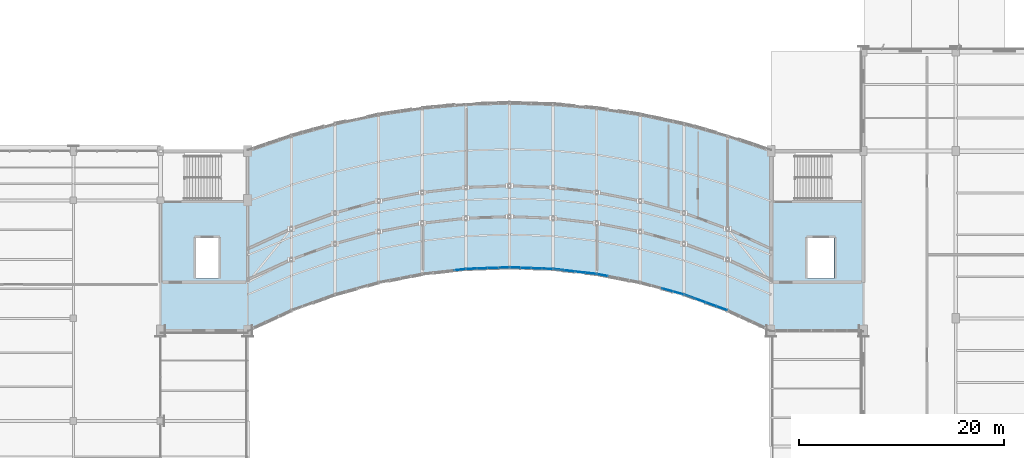
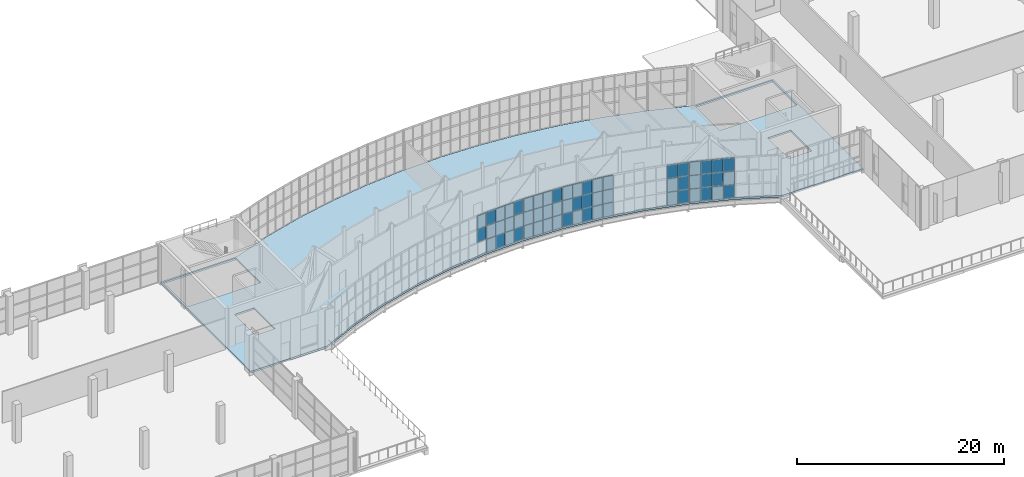
# One storey, part 58 of 86: 59 plates, 1 slab, 7 elements without a shape of their own.
"""IFC4 building model written with IfcOpenShell, lengths in metres."""

from ifc_helpers import new_model, si_unit, direction, frame, origin, origin_2d, place, context, subcontext, project, spatial, polyline, rectangle, outline, extrude, material, layer, layer_set, type_object, element, aggregate, save


model = new_model("IFC4")

# Units and contexts
model_context = context("Model", 3, precision=1e-05, world=origin(), true_north=direction((0.0, 1.0)))
body_context = subcontext(model_context, "Body", "Model", "MODEL_VIEW")
ifc_project = project(units=[si_unit("LENGTHUNIT", "METRE"), si_unit("AREAUNIT", "SQUARE_METRE"), si_unit("VOLUMEUNIT", "CUBIC_METRE"), si_unit("PLANEANGLEUNIT", "RADIAN"), si_unit("MASSUNIT", "GRAM", prefix="KILO")], contexts=[model_context])

# Site, building, storey
site_placement = place(None, origin())
site = spatial("IfcSite", under=ifc_project, at=site_placement, CompositionType="ELEMENT")
building_placement = place(site_placement, origin())
building = spatial("IfcBuilding", under=site, at=building_placement, Name="Solvikara Media Centre", CompositionType="ELEMENT")
storey_placement = place(building_placement, frame((0.0, 0.0, 15.0)))
storey = spatial("IfcBuildingStorey", under=building, at=storey_placement, Name="L03", CompositionType="ELEMENT", Elevation=15.0)

# Curtain wall, plates
ifc_material_1 = material(Name="Anodised aluminium EN AW-6063", Category="aluminium")
curtain_wall_type = type_object("IfcCurtainWallType", Name="CW-01", PredefinedType="NOTDEFINED", material=ifc_material_1)
curtain_wall_1_placement = place(storey_placement, origin())
curtain_wall_1 = element("IfcCurtainWall", 1, at=curtain_wall_1_placement, inside=storey, type_object=curtain_wall_type, Name="CW-L03-SARC-04", PredefinedType="NOTDEFINED")
ifc_material_2 = material(Name="Laminated solar-control cyan vision glass", Category="glass")
ifc_layer_1 = layer(ifc_material_2, 0.035888671875)
ifc_layer_set_1 = layer_set([ifc_layer_1], Name="Laminated solar-control cyan vision glass")
plate_type_1 = type_object("IfcPlateType", Name="PN-01", PredefinedType="CURTAIN_PANEL", material=ifc_layer_set_1)
plate_1_placement = place(storey_placement, frame((97.19189453125, 25.240966796875, 1.62158203125), z_axis=(0.0, 0.0, 1.0), x_axis=(0.993498545066, 0.113844810828, 0.0)))
plate_1 = element("IfcPlate", 2, at=plate_1_placement, type_object=plate_type_1, Name="CW-L03-SARC-04-P0301", PredefinedType="CURTAIN_PANEL", context=body_context, shape_type="SweptSolid", body=[
    extrude(rectangle(XDim=1.02197265625, YDim=0.035888671875, at=origin_2d()), origin(), (0.0, 0.0, 1.0), 1.556884765625),
])
plate_2_placement = place(storey_placement, frame((97.19189453125, 25.240966796875, 3.20849609375), z_axis=(0.0, 0.0, 1.0), x_axis=(0.993498545066, 0.113844810828, 0.0)))
plate_2 = element("IfcPlate", 3, at=plate_2_placement, type_object=plate_type_1, Name="CW-L03-SARC-04-P0302", PredefinedType="CURTAIN_PANEL", context=body_context, shape_type="SweptSolid", body=[
    extrude(rectangle(XDim=1.02197265625, YDim=0.035888671875, at=origin_2d()), origin(), (0.0, 0.0, 1.0), 1.556884765625),
])
aggregate(curtain_wall_1, [plate_1, plate_2])

curtain_wall_2_placement = place(storey_placement, origin())
curtain_wall_2 = element("IfcCurtainWall", 4, at=curtain_wall_2_placement, inside=storey, type_object=curtain_wall_type, Name="CW-L03-SARC-05", PredefinedType="NOTDEFINED")
plate_3_placement = place(storey_placement, frame((98.30810546875, 25.325927734375, 1.62158203125), z_axis=(0.0, 0.0, 1.0), x_axis=(0.999268266619, 0.03824828529, 0.0)))
plate_3 = element("IfcPlate", 5, at=plate_3_placement, type_object=plate_type_1, Name="CW-L03-SARC-05-P0001", PredefinedType="CURTAIN_PANEL", context=body_context, shape_type="SweptSolid", body=[
    extrude(rectangle(XDim=1.01611328125, YDim=0.035888671875, at=origin_2d()), origin(), (0.0, 0.0, 1.0), 1.556884765625),
])
plate_4_placement = place(storey_placement, frame((99.35302734375, 25.365966796875, 0.03466796875), z_axis=(0.0, 0.0, 1.0), x_axis=(0.999268266619, 0.03824828529, 0.0)))
plate_4 = element("IfcPlate", 6, at=plate_4_placement, type_object=plate_type_1, Name="CW-L03-SARC-05-P0100", PredefinedType="CURTAIN_PANEL", context=body_context, shape_type="SweptSolid", body=[
    extrude(rectangle(XDim=1.01611328125, YDim=0.035888671875, at=origin_2d()), origin(), (0.0, 0.0, 1.0), 1.556884765625),
])
plate_5_placement = place(storey_placement, frame((100.39697265625, 25.406005859375, 1.62158203125), z_axis=(0.0, 0.0, 1.0), x_axis=(0.999268266619, 0.03824828529, 0.0)))
plate_5 = element("IfcPlate", 7, at=plate_5_placement, type_object=plate_type_1, Name="CW-L03-SARC-05-P0201", PredefinedType="CURTAIN_PANEL", context=body_context, shape_type="SweptSolid", body=[
    extrude(rectangle(XDim=1.01611328125, YDim=0.035888671875, at=origin_2d()), origin(), (0.0, 0.0, 1.0), 1.556884765625),
])
plate_6_placement = place(storey_placement, frame((100.39697265625, 25.406005859375, 3.20849609375), z_axis=(0.0, 0.0, 1.0), x_axis=(0.999268266619, 0.03824828529, 0.0)))
plate_6 = element("IfcPlate", 8, at=plate_6_placement, type_object=plate_type_1, Name="CW-L03-SARC-05-P0202", PredefinedType="CURTAIN_PANEL", context=body_context, shape_type="SweptSolid", body=[
    extrude(rectangle(XDim=1.01611328125, YDim=0.035888671875, at=origin_2d()), origin(), (0.0, 0.0, 1.0), 1.556884765625),
])
plate_7_placement = place(storey_placement, frame((101.44189453125, 25.446044921875, 0.03466796875), z_axis=(0.0, 0.0, 1.0), x_axis=(0.999268266619, 0.03824828529, 0.0)))
plate_7 = element("IfcPlate", 9, at=plate_7_placement, type_object=plate_type_1, Name="CW-L03-SARC-05-P0300", PredefinedType="CURTAIN_PANEL", context=body_context, shape_type="SweptSolid", body=[
    extrude(rectangle(XDim=1.01611328125, YDim=0.035888671875, at=origin_2d()), origin(), (0.0, 0.0, 1.0), 1.556884765625),
])
plate_8_placement = place(storey_placement, frame((101.44189453125, 25.446044921875, 1.62158203125), z_axis=(0.0, 0.0, 1.0), x_axis=(0.999268266619, 0.03824828529, 0.0)))
plate_8 = element("IfcPlate", 10, at=plate_8_placement, type_object=plate_type_1, Name="CW-L03-SARC-05-P0301", PredefinedType="CURTAIN_PANEL", context=body_context, shape_type="SweptSolid", body=[
    extrude(rectangle(XDim=1.01611328125, YDim=0.035888671875, at=origin_2d()), origin(), (0.0, 0.0, 1.0), 1.556884765625),
])
plate_9_placement = place(storey_placement, frame((101.44189453125, 25.446044921875, 3.20849609375), z_axis=(0.0, 0.0, 1.0), x_axis=(0.999268266619, 0.03824828529, 0.0)))
plate_9 = element("IfcPlate", 11, at=plate_9_placement, type_object=plate_type_1, Name="CW-L03-SARC-05-P0302", PredefinedType="CURTAIN_PANEL", context=body_context, shape_type="SweptSolid", body=[
    extrude(rectangle(XDim=1.01611328125, YDim=0.035888671875, at=origin_2d()), origin(), (0.0, 0.0, 1.0), 1.556884765625),
])

curtain_wall_3_placement = place(storey_placement, origin())
curtain_wall_3 = element("IfcCurtainWall", 12, at=curtain_wall_3_placement, inside=storey, type_object=curtain_wall_type, Name="CW-L03-SARC-06", PredefinedType="NOTDEFINED")
plate_10_placement = place(storey_placement, frame((102.55810546875, 25.446044921875, 1.62158203125), z_axis=(0.0, 0.0, 1.0), x_axis=(0.999268266619, -0.03824828529, 0.0)))
plate_10 = element("IfcPlate", 13, at=plate_10_placement, type_object=plate_type_1, Name="CW-L03-SARC-06-P0001", PredefinedType="CURTAIN_PANEL", context=body_context, shape_type="SweptSolid", body=[
    extrude(rectangle(XDim=1.01611328125, YDim=0.035888671875, at=origin_2d()), origin(), (0.0, 0.0, 1.0), 1.556884765625),
])
plate_11_placement = place(storey_placement, frame((102.55810546875, 25.446044921875, 3.20849609375), z_axis=(0.0, 0.0, 1.0), x_axis=(0.999268266619, -0.03824828529, 0.0)))
plate_11 = element("IfcPlate", 14, at=plate_11_placement, type_object=plate_type_1, Name="CW-L03-SARC-06-P0002", PredefinedType="CURTAIN_PANEL", context=body_context, shape_type="SweptSolid", body=[
    extrude(rectangle(XDim=1.01611328125, YDim=0.035888671875, at=origin_2d()), origin(), (0.0, 0.0, 1.0), 1.556884765625),
])
plate_12_placement = place(storey_placement, frame((103.60302734375, 25.406005859375, 1.62158203125), z_axis=(0.0, 0.0, 1.0), x_axis=(0.999268266619, -0.03824828529, 0.0)))
plate_12 = element("IfcPlate", 15, at=plate_12_placement, type_object=plate_type_1, Name="CW-L03-SARC-06-P0101", PredefinedType="CURTAIN_PANEL", context=body_context, shape_type="SweptSolid", body=[
    extrude(rectangle(XDim=1.01611328125, YDim=0.035888671875, at=origin_2d()), origin(), (0.0, 0.0, 1.0), 1.556884765625),
])
plate_13_placement = place(storey_placement, frame((104.64697265625, 25.365966796875, 1.62158203125), z_axis=(0.0, 0.0, 1.0), x_axis=(0.999268266619, -0.03824828529, 0.0)))
plate_13 = element("IfcPlate", 16, at=plate_13_placement, type_object=plate_type_1, Name="CW-L03-SARC-06-P0201", PredefinedType="CURTAIN_PANEL", context=body_context, shape_type="SweptSolid", body=[
    extrude(rectangle(XDim=1.01611328125, YDim=0.035888671875, at=origin_2d()), origin(), (0.0, 0.0, 1.0), 1.556884765625),
])
plate_14_placement = place(storey_placement, frame((104.64697265625, 25.365966796875, 3.20849609375), z_axis=(0.0, 0.0, 1.0), x_axis=(0.999268266619, -0.03824828529, 0.0)))
plate_14 = element("IfcPlate", 17, at=plate_14_placement, type_object=plate_type_1, Name="CW-L03-SARC-06-P0202", PredefinedType="CURTAIN_PANEL", context=body_context, shape_type="SweptSolid", body=[
    extrude(rectangle(XDim=1.01611328125, YDim=0.035888671875, at=origin_2d()), origin(), (0.0, 0.0, 1.0), 1.556884765625),
])
plate_15_placement = place(storey_placement, frame((105.69189453125, 25.325927734375, 1.62158203125), z_axis=(0.0, 0.0, 1.0), x_axis=(0.999268266619, -0.03824828529, 0.0)))
plate_15 = element("IfcPlate", 18, at=plate_15_placement, type_object=plate_type_1, Name="CW-L03-SARC-06-P0301", PredefinedType="CURTAIN_PANEL", context=body_context, shape_type="SweptSolid", body=[
    extrude(rectangle(XDim=1.01611328125, YDim=0.035888671875, at=origin_2d()), origin(), (0.0, 0.0, 1.0), 1.556884765625),
])
plate_16_placement = place(storey_placement, frame((105.69189453125, 25.325927734375, 3.20849609375), z_axis=(0.0, 0.0, 1.0), x_axis=(0.999268266619, -0.03824828529, 0.0)))
plate_16 = element("IfcPlate", 19, at=plate_16_placement, type_object=plate_type_1, Name="CW-L03-SARC-06-P0302", PredefinedType="CURTAIN_PANEL", context=body_context, shape_type="SweptSolid", body=[
    extrude(rectangle(XDim=1.01611328125, YDim=0.035888671875, at=origin_2d()), origin(), (0.0, 0.0, 1.0), 1.556884765625),
])

curtain_wall_4_placement = place(storey_placement, origin())
curtain_wall_4 = element("IfcCurtainWall", 20, at=curtain_wall_4_placement, inside=storey, type_object=curtain_wall_type, Name="CW-L03-SARC-07", PredefinedType="NOTDEFINED")
plate_17_placement = place(storey_placement, frame((107.85302734375, 25.12109375, 3.20849609375), z_axis=(0.0, 0.0, 1.0), x_axis=(0.993498545066, -0.113844810828, 0.0)))
plate_17 = element("IfcPlate", 21, at=plate_17_placement, type_object=plate_type_1, Name="CW-L03-SARC-07-P0102", PredefinedType="CURTAIN_PANEL", context=body_context, shape_type="SweptSolid", body=[
    extrude(rectangle(XDim=1.02197265625, YDim=0.035888671875, at=origin_2d()), origin(), (0.0, 0.0, 1.0), 1.556884765625),
])
plate_18_placement = place(storey_placement, frame((108.89794921875, 25.001953125, 1.62158203125), z_axis=(0.0, 0.0, 1.0), x_axis=(0.993498545066, -0.113844810828, 0.0)))
plate_18 = element("IfcPlate", 22, at=plate_18_placement, type_object=plate_type_1, Name="CW-L03-SARC-07-P0201", PredefinedType="CURTAIN_PANEL", context=body_context, shape_type="SweptSolid", body=[
    extrude(rectangle(XDim=1.02197265625, YDim=0.035888671875, at=origin_2d()), origin(), (0.0, 0.0, 1.0), 1.556884765625),
])
plate_19_placement = place(storey_placement, frame((109.94189453125, 24.882080078125, 0.03466796875), z_axis=(0.0, 0.0, 1.0), x_axis=(0.993498545066, -0.113844810828, 0.0)))
plate_19 = element("IfcPlate", 23, at=plate_19_placement, type_object=plate_type_1, Name="CW-L03-SARC-07-P0300", PredefinedType="CURTAIN_PANEL", context=body_context, shape_type="SweptSolid", body=[
    extrude(rectangle(XDim=1.02197265625, YDim=0.035888671875, at=origin_2d()), origin(), (0.0, 0.0, 1.0), 1.556884765625),
])

# Curtain wall, plate
curtain_wall_5_placement = place(storey_placement, origin())
curtain_wall_5 = element("IfcCurtainWall", 24, at=curtain_wall_5_placement, inside=storey, type_object=curtain_wall_type, Name="CW-L03-SARC-08", PredefinedType="NOTDEFINED")
plate_20_placement = place(storey_placement, frame((111.055908203125, 24.7099609375, 1.62158203125), z_axis=(0.0, 0.0, 1.0), x_axis=(0.981843017659, -0.189695252114, 0.0)))
plate_20 = element("IfcPlate", 25, at=plate_20_placement, type_object=plate_type_1, Name="CW-L03-SARC-08-P0001", PredefinedType="CURTAIN_PANEL", context=body_context, shape_type="SweptSolid", body=[
    extrude(rectangle(XDim=1.034912109375, YDim=0.035888671875, at=origin_2d()), origin(), (0.0, 0.0, 1.0), 1.556884765625),
])

# Curtain wall, plates
curtain_wall_6_placement = place(storey_placement, origin())
curtain_wall_6 = element("IfcCurtainWall", 26, at=curtain_wall_6_placement, inside=storey, type_object=curtain_wall_type, Name="CW-L03-SARC-09", PredefinedType="NOTDEFINED")
plate_21_placement = place(storey_placement, frame((117.39697265625, 23.26611328125, 0.03466796875), z_axis=(0.0, 0.0, 1.0), x_axis=(0.96397015682, -0.26601040724, 0.0)))
plate_21 = element("IfcPlate", 27, at=plate_21_placement, type_object=plate_type_1, Name="CW-L03-SARC-09-P0200", PredefinedType="CURTAIN_PANEL", context=body_context, shape_type="SweptSolid", body=[
    extrude(rectangle(XDim=1.054931640625, YDim=0.035888671875, at=origin_2d()), origin(), (0.0, 0.0, 1.0), 1.556884765625),
])
plate_22_placement = place(storey_placement, frame((117.39697265625, 23.26611328125, 3.20849609375), z_axis=(0.0, 0.0, 1.0), x_axis=(0.96397015682, -0.26601040724, 0.0)))
plate_22 = element("IfcPlate", 28, at=plate_22_placement, type_object=plate_type_1, Name="CW-L03-SARC-09-P0202", PredefinedType="CURTAIN_PANEL", context=body_context, shape_type="SweptSolid", body=[
    extrude(rectangle(XDim=1.054931640625, YDim=0.035888671875, at=origin_2d()), origin(), (0.0, 0.0, 1.0), 1.556884765625),
])
plate_23_placement = place(storey_placement, frame((118.443115234375, 22.97705078125, 0.03466796875), z_axis=(0.0, 0.0, 1.0), x_axis=(0.96397015682, -0.26601040724, 0.0)))
plate_23 = element("IfcPlate", 29, at=plate_23_placement, type_object=plate_type_1, Name="CW-L03-SARC-09-P0300", PredefinedType="CURTAIN_PANEL", context=body_context, shape_type="SweptSolid", body=[
    extrude(rectangle(XDim=1.054931640625, YDim=0.035888671875, at=origin_2d()), origin(), (0.0, 0.0, 1.0), 1.556884765625),
])
plate_24_placement = place(storey_placement, frame((118.443115234375, 22.97705078125, 1.62158203125), z_axis=(0.0, 0.0, 1.0), x_axis=(0.96397015682, -0.26601040724, 0.0)))
plate_24 = element("IfcPlate", 30, at=plate_24_placement, type_object=plate_type_1, Name="CW-L03-SARC-09-P0301", PredefinedType="CURTAIN_PANEL", context=body_context, shape_type="SweptSolid", body=[
    extrude(rectangle(XDim=1.054931640625, YDim=0.035888671875, at=origin_2d()), origin(), (0.0, 0.0, 1.0), 1.556884765625),
])
plate_25_placement = place(storey_placement, frame((118.443115234375, 22.97705078125, 3.20849609375), z_axis=(0.0, 0.0, 1.0), x_axis=(0.96397015682, -0.26601040724, 0.0)))
plate_25 = element("IfcPlate", 31, at=plate_25_placement, type_object=plate_type_1, Name="CW-L03-SARC-09-P0302", PredefinedType="CURTAIN_PANEL", context=body_context, shape_type="SweptSolid", body=[
    extrude(rectangle(XDim=1.054931640625, YDim=0.035888671875, at=origin_2d()), origin(), (0.0, 0.0, 1.0), 1.556884765625),
])

curtain_wall_7_placement = place(storey_placement, origin())
curtain_wall_7 = element("IfcCurtainWall", 32, at=curtain_wall_7_placement, inside=storey, type_object=curtain_wall_type, Name="CW-L03-SARC-10", PredefinedType="NOTDEFINED")
plate_26_placement = place(storey_placement, frame((120.60205078125, 22.241943359375, 1.62158203125), z_axis=(0.0, 0.0, 1.0), x_axis=(0.939823877818, -0.341659302058, 0.0)))
plate_26 = element("IfcPlate", 33, at=plate_26_placement, type_object=plate_type_1, Name="CW-L03-SARC-10-P0101", PredefinedType="CURTAIN_PANEL", context=body_context, shape_type="SweptSolid", body=[
    extrude(rectangle(XDim=1.0830078125, YDim=0.035888671875, at=origin_2d()), origin(), (0.0, 0.0, 1.0), 1.556884765625),
])
plate_27_placement = place(storey_placement, frame((121.64794921875, 21.862060546875, 1.62158203125), z_axis=(0.0, 0.0, 1.0), x_axis=(0.939823877818, -0.341659302058, 0.0)))
plate_27 = element("IfcPlate", 34, at=plate_27_placement, type_object=plate_type_1, Name="CW-L03-SARC-10-P0201", PredefinedType="CURTAIN_PANEL", context=body_context, shape_type="SweptSolid", body=[
    extrude(rectangle(XDim=1.0830078125, YDim=0.035888671875, at=origin_2d()), origin(), (0.0, 0.0, 1.0), 1.556884765625),
])
plate_28_placement = place(storey_placement, frame((122.694091796875, 21.48095703125, 0.03466796875), z_axis=(0.0, 0.0, 1.0), x_axis=(0.939823877818, -0.341659302058, 0.0)))
plate_28 = element("IfcPlate", 35, at=plate_28_placement, type_object=plate_type_1, Name="CW-L03-SARC-10-P0300", PredefinedType="CURTAIN_PANEL", context=body_context, shape_type="SweptSolid", body=[
    extrude(rectangle(XDim=1.0830078125, YDim=0.035888671875, at=origin_2d()), origin(), (0.0, 0.0, 1.0), 1.556884765625),
])
plate_29_placement = place(storey_placement, frame((122.694091796875, 21.48095703125, 1.62158203125), z_axis=(0.0, 0.0, 1.0), x_axis=(0.939823877818, -0.341659302058, 0.0)))
plate_29 = element("IfcPlate", 36, at=plate_29_placement, type_object=plate_type_1, Name="CW-L03-SARC-10-P0301", PredefinedType="CURTAIN_PANEL", context=body_context, shape_type="SweptSolid", body=[
    extrude(rectangle(XDim=1.0830078125, YDim=0.035888671875, at=origin_2d()), origin(), (0.0, 0.0, 1.0), 1.556884765625),
])

# Plate
ifc_material_3 = material(Name="Ceramic-fritted teal low-E glass", Category="glass")
ifc_layer_2 = layer(ifc_material_3, 0.0419921875)
ifc_layer_set_2 = layer_set([ifc_layer_2], Name="Ceramic-fritted teal low-E glass")
plate_type_2 = type_object("IfcPlateType", Name="PN-02", PredefinedType="CURTAIN_PANEL", material=ifc_layer_set_2)
plate_30_placement = place(storey_placement, frame((98.30810546875, 25.325927734375, 3.20849609375), z_axis=(0.0, 0.0, 1.0), x_axis=(0.999268266619, 0.03824828529, 0.0)))
plate_30 = element("IfcPlate", 37, at=plate_30_placement, type_object=plate_type_2, Name="CW-L03-SARC-05-P0002", PredefinedType="CURTAIN_PANEL", context=body_context, shape_type="SweptSolid", body=[
    extrude(rectangle(XDim=1.01611328125, YDim=0.0419921875, at=origin_2d()), origin(), (0.0, 0.0, 1.0), 1.556884765625),
])

plate_31_placement = place(storey_placement, frame((99.35302734375, 25.365966796875, 3.20849609375), z_axis=(0.0, 0.0, 1.0), x_axis=(0.999268266619, 0.03824828529, 0.0)))
plate_31 = element("IfcPlate", 38, at=plate_31_placement, type_object=plate_type_2, Name="CW-L03-SARC-05-P0102", PredefinedType="CURTAIN_PANEL", context=body_context, shape_type="SweptSolid", body=[
    extrude(rectangle(XDim=1.01611328125, YDim=0.0419921875, at=origin_2d()), origin(), (0.0, 0.0, 1.0), 1.556884765625),
])

plate_32_placement = place(storey_placement, frame((103.60302734375, 25.406005859375, 0.03466796875), z_axis=(0.0, 0.0, 1.0), x_axis=(0.999268266619, -0.03824828529, 0.0)))
plate_32 = element("IfcPlate", 39, at=plate_32_placement, type_object=plate_type_2, Name="CW-L03-SARC-06-P0100", PredefinedType="CURTAIN_PANEL", context=body_context, shape_type="SweptSolid", body=[
    extrude(rectangle(XDim=1.01611328125, YDim=0.0419921875, at=origin_2d()), origin(), (0.0, 0.0, 1.0), 1.556884765625),
])

plate_33_placement = place(storey_placement, frame((103.60302734375, 25.406005859375, 3.20849609375), z_axis=(0.0, 0.0, 1.0), x_axis=(0.999268266619, -0.03824828529, 0.0)))
plate_33 = element("IfcPlate", 40, at=plate_33_placement, type_object=plate_type_2, Name="CW-L03-SARC-06-P0102", PredefinedType="CURTAIN_PANEL", context=body_context, shape_type="SweptSolid", body=[
    extrude(rectangle(XDim=1.01611328125, YDim=0.0419921875, at=origin_2d()), origin(), (0.0, 0.0, 1.0), 1.556884765625),
])

plate_34_placement = place(storey_placement, frame((104.64697265625, 25.365966796875, 0.03466796875), z_axis=(0.0, 0.0, 1.0), x_axis=(0.999268266619, -0.03824828529, 0.0)))
plate_34 = element("IfcPlate", 41, at=plate_34_placement, type_object=plate_type_2, Name="CW-L03-SARC-06-P0200", PredefinedType="CURTAIN_PANEL", context=body_context, shape_type="SweptSolid", body=[
    extrude(rectangle(XDim=1.01611328125, YDim=0.0419921875, at=origin_2d()), origin(), (0.0, 0.0, 1.0), 1.556884765625),
])

plate_35_placement = place(storey_placement, frame((105.69189453125, 25.325927734375, 0.03466796875), z_axis=(0.0, 0.0, 1.0), x_axis=(0.999268266619, -0.03824828529, 0.0)))
plate_35 = element("IfcPlate", 42, at=plate_35_placement, type_object=plate_type_2, Name="CW-L03-SARC-06-P0300", PredefinedType="CURTAIN_PANEL", context=body_context, shape_type="SweptSolid", body=[
    extrude(rectangle(XDim=1.01611328125, YDim=0.0419921875, at=origin_2d()), origin(), (0.0, 0.0, 1.0), 1.556884765625),
])

plate_36_placement = place(storey_placement, frame((106.80810546875, 25.240966796875, 0.03466796875), z_axis=(0.0, 0.0, 1.0), x_axis=(0.993498545066, -0.113844810828, 0.0)))
plate_36 = element("IfcPlate", 43, at=plate_36_placement, type_object=plate_type_2, Name="CW-L03-SARC-07-P0000", PredefinedType="CURTAIN_PANEL", context=body_context, shape_type="SweptSolid", body=[
    extrude(rectangle(XDim=1.02197265625, YDim=0.0419921875, at=origin_2d()), origin(), (0.0, 0.0, 1.0), 1.556884765625),
])

plate_37_placement = place(storey_placement, frame((106.80810546875, 25.240966796875, 3.20849609375), z_axis=(0.0, 0.0, 1.0), x_axis=(0.993498545066, -0.113844810828, 0.0)))
plate_37 = element("IfcPlate", 44, at=plate_37_placement, type_object=plate_type_2, Name="CW-L03-SARC-07-P0002", PredefinedType="CURTAIN_PANEL", context=body_context, shape_type="SweptSolid", body=[
    extrude(rectangle(XDim=1.02197265625, YDim=0.0419921875, at=origin_2d()), origin(), (0.0, 0.0, 1.0), 1.556884765625),
])

plate_38_placement = place(storey_placement, frame((108.89794921875, 25.001953125, 0.03466796875), z_axis=(0.0, 0.0, 1.0), x_axis=(0.993498545066, -0.113844810828, 0.0)))
plate_38 = element("IfcPlate", 45, at=plate_38_placement, type_object=plate_type_2, Name="CW-L03-SARC-07-P0200", PredefinedType="CURTAIN_PANEL", context=body_context, shape_type="SweptSolid", body=[
    extrude(rectangle(XDim=1.02197265625, YDim=0.0419921875, at=origin_2d()), origin(), (0.0, 0.0, 1.0), 1.556884765625),
])

plate_39_placement = place(storey_placement, frame((108.89794921875, 25.001953125, 3.20849609375), z_axis=(0.0, 0.0, 1.0), x_axis=(0.993498545066, -0.113844810828, 0.0)))
plate_39 = element("IfcPlate", 46, at=plate_39_placement, type_object=plate_type_2, Name="CW-L03-SARC-07-P0202", PredefinedType="CURTAIN_PANEL", context=body_context, shape_type="SweptSolid", body=[
    extrude(rectangle(XDim=1.02197265625, YDim=0.0419921875, at=origin_2d()), origin(), (0.0, 0.0, 1.0), 1.556884765625),
])

plate_40_placement = place(storey_placement, frame((109.94189453125, 24.882080078125, 3.20849609375), z_axis=(0.0, 0.0, 1.0), x_axis=(0.993498545066, -0.113844810828, 0.0)))
plate_40 = element("IfcPlate", 47, at=plate_40_placement, type_object=plate_type_2, Name="CW-L03-SARC-07-P0302", PredefinedType="CURTAIN_PANEL", context=body_context, shape_type="SweptSolid", body=[
    extrude(rectangle(XDim=1.02197265625, YDim=0.0419921875, at=origin_2d()), origin(), (0.0, 0.0, 1.0), 1.556884765625),
])

plate_41_placement = place(storey_placement, frame((117.39697265625, 23.26611328125, 1.62158203125), z_axis=(0.0, 0.0, 1.0), x_axis=(0.96397015682, -0.26601040724, 0.0)))
plate_41 = element("IfcPlate", 48, at=plate_41_placement, type_object=plate_type_2, Name="CW-L03-SARC-09-P0201", PredefinedType="CURTAIN_PANEL", context=body_context, shape_type="SweptSolid", body=[
    extrude(rectangle(XDim=1.054931640625, YDim=0.0419921875, at=origin_2d()), origin(), (0.0, 0.0, 1.0), 1.556884765625),
])

aggregate(curtain_wall_6, [plate_21, plate_41, plate_22, plate_23, plate_24, plate_25])

plate_42_placement = place(storey_placement, frame((119.555908203125, 22.6220703125, 0.03466796875), z_axis=(0.0, 0.0, 1.0), x_axis=(0.939823877818, -0.341659302058, 0.0)))
plate_42 = element("IfcPlate", 49, at=plate_42_placement, type_object=plate_type_2, Name="CW-L03-SARC-10-P0000", PredefinedType="CURTAIN_PANEL", context=body_context, shape_type="SweptSolid", body=[
    extrude(rectangle(XDim=1.0830078125, YDim=0.0419921875, at=origin_2d()), origin(), (0.0, 0.0, 1.0), 1.556884765625),
])

plate_43_placement = place(storey_placement, frame((120.60205078125, 22.241943359375, 0.03466796875), z_axis=(0.0, 0.0, 1.0), x_axis=(0.939823877818, -0.341659302058, 0.0)))
plate_43 = element("IfcPlate", 50, at=plate_43_placement, type_object=plate_type_2, Name="CW-L03-SARC-10-P0100", PredefinedType="CURTAIN_PANEL", context=body_context, shape_type="SweptSolid", body=[
    extrude(rectangle(XDim=1.0830078125, YDim=0.0419921875, at=origin_2d()), origin(), (0.0, 0.0, 1.0), 1.556884765625),
])

plate_44_placement = place(storey_placement, frame((120.60205078125, 22.241943359375, 3.20849609375), z_axis=(0.0, 0.0, 1.0), x_axis=(0.939823877818, -0.341659302058, 0.0)))
plate_44 = element("IfcPlate", 51, at=plate_44_placement, type_object=plate_type_2, Name="CW-L03-SARC-10-P0102", PredefinedType="CURTAIN_PANEL", context=body_context, shape_type="SweptSolid", body=[
    extrude(rectangle(XDim=1.0830078125, YDim=0.0419921875, at=origin_2d()), origin(), (0.0, 0.0, 1.0), 1.556884765625),
])

plate_45_placement = place(storey_placement, frame((121.64794921875, 21.862060546875, 3.20849609375), z_axis=(0.0, 0.0, 1.0), x_axis=(0.939823877818, -0.341659302058, 0.0)))
plate_45 = element("IfcPlate", 52, at=plate_45_placement, type_object=plate_type_2, Name="CW-L03-SARC-10-P0202", PredefinedType="CURTAIN_PANEL", context=body_context, shape_type="SweptSolid", body=[
    extrude(rectangle(XDim=1.0830078125, YDim=0.0419921875, at=origin_2d()), origin(), (0.0, 0.0, 1.0), 1.556884765625),
])

plate_46_placement = place(storey_placement, frame((122.694091796875, 21.48095703125, 3.20849609375), z_axis=(0.0, 0.0, 1.0), x_axis=(0.939823877818, -0.341659302058, 0.0)))
plate_46 = element("IfcPlate", 53, at=plate_46_placement, type_object=plate_type_2, Name="CW-L03-SARC-10-P0302", PredefinedType="CURTAIN_PANEL", context=body_context, shape_type="SweptSolid", body=[
    extrude(rectangle(XDim=1.0830078125, YDim=0.0419921875, at=origin_2d()), origin(), (0.0, 0.0, 1.0), 1.556884765625),
])

ifc_material_4 = material(Name="Insulated silver-pearl glass spandrel panel", Category="glass")
ifc_layer_3 = layer(ifc_material_4, 0.054931640625)
ifc_layer_set_3 = layer_set([ifc_layer_3], Name="Insulated silver-pearl glass spandrel panel")
plate_type_3 = type_object("IfcPlateType", Name="PN-03", PredefinedType="CURTAIN_PANEL", material=ifc_layer_set_3)
plate_47_placement = place(storey_placement, frame((98.30810546875, 25.325927734375, 0.03466796875), z_axis=(0.0, 0.0, 1.0), x_axis=(0.999268266619, 0.03824828529, 0.0)))
plate_47 = element("IfcPlate", 54, at=plate_47_placement, type_object=plate_type_3, Name="CW-L03-SARC-05-P0000", PredefinedType="CURTAIN_PANEL", context=body_context, shape_type="SweptSolid", body=[
    extrude(rectangle(XDim=1.01611328125, YDim=0.054931640625, at=origin_2d()), origin(), (0.0, 0.0, 1.0), 1.556884765625),
])

plate_48_placement = place(storey_placement, frame((99.35302734375, 25.365966796875, 1.62158203125), z_axis=(0.0, 0.0, 1.0), x_axis=(0.999268266619, 0.03824828529, 0.0)))
plate_48 = element("IfcPlate", 55, at=plate_48_placement, type_object=plate_type_3, Name="CW-L03-SARC-05-P0101", PredefinedType="CURTAIN_PANEL", context=body_context, shape_type="SweptSolid", body=[
    extrude(rectangle(XDim=1.01611328125, YDim=0.054931640625, at=origin_2d()), origin(), (0.0, 0.0, 1.0), 1.556884765625),
])

plate_49_placement = place(storey_placement, frame((100.39697265625, 25.406005859375, 0.03466796875), z_axis=(0.0, 0.0, 1.0), x_axis=(0.999268266619, 0.03824828529, 0.0)))
plate_49 = element("IfcPlate", 56, at=plate_49_placement, type_object=plate_type_3, Name="CW-L03-SARC-05-P0200", PredefinedType="CURTAIN_PANEL", context=body_context, shape_type="SweptSolid", body=[
    extrude(rectangle(XDim=1.01611328125, YDim=0.054931640625, at=origin_2d()), origin(), (0.0, 0.0, 1.0), 1.556884765625),
])

aggregate(curtain_wall_2, [plate_47, plate_3, plate_30, plate_4, plate_48, plate_31, plate_49, plate_5, plate_6, plate_7, plate_8, plate_9])

plate_50_placement = place(storey_placement, frame((102.55810546875, 25.446044921875, 0.03466796875), z_axis=(0.0, 0.0, 1.0), x_axis=(0.999268266619, -0.03824828529, 0.0)))
plate_50 = element("IfcPlate", 57, at=plate_50_placement, type_object=plate_type_3, Name="CW-L03-SARC-06-P0000", PredefinedType="CURTAIN_PANEL", context=body_context, shape_type="SweptSolid", body=[
    extrude(rectangle(XDim=1.01611328125, YDim=0.054931640625, at=origin_2d()), origin(), (0.0, 0.0, 1.0), 1.556884765625),
])

aggregate(curtain_wall_3, [plate_50, plate_10, plate_11, plate_32, plate_12, plate_33, plate_34, plate_13, plate_14, plate_35, plate_15, plate_16])

plate_51_placement = place(storey_placement, frame((106.80810546875, 25.240966796875, 1.62158203125), z_axis=(0.0, 0.0, 1.0), x_axis=(0.993498545066, -0.113844810828, 0.0)))
plate_51 = element("IfcPlate", 58, at=plate_51_placement, type_object=plate_type_3, Name="CW-L03-SARC-07-P0001", PredefinedType="CURTAIN_PANEL", context=body_context, shape_type="SweptSolid", body=[
    extrude(rectangle(XDim=1.02197265625, YDim=0.054931640625, at=origin_2d()), origin(), (0.0, 0.0, 1.0), 1.556884765625),
])

plate_52_placement = place(storey_placement, frame((107.85302734375, 25.12109375, 0.03466796875), z_axis=(0.0, 0.0, 1.0), x_axis=(0.993498545066, -0.113844810828, 0.0)))
plate_52 = element("IfcPlate", 59, at=plate_52_placement, type_object=plate_type_3, Name="CW-L03-SARC-07-P0100", PredefinedType="CURTAIN_PANEL", context=body_context, shape_type="SweptSolid", body=[
    extrude(rectangle(XDim=1.02197265625, YDim=0.054931640625, at=origin_2d()), origin(), (0.0, 0.0, 1.0), 1.556884765625),
])

plate_53_placement = place(storey_placement, frame((107.85302734375, 25.12109375, 1.62158203125), z_axis=(0.0, 0.0, 1.0), x_axis=(0.993498545066, -0.113844810828, 0.0)))
plate_53 = element("IfcPlate", 60, at=plate_53_placement, type_object=plate_type_3, Name="CW-L03-SARC-07-P0101", PredefinedType="CURTAIN_PANEL", context=body_context, shape_type="SweptSolid", body=[
    extrude(rectangle(XDim=1.02197265625, YDim=0.054931640625, at=origin_2d()), origin(), (0.0, 0.0, 1.0), 1.556884765625),
])

plate_54_placement = place(storey_placement, frame((109.94189453125, 24.882080078125, 1.62158203125), z_axis=(0.0, 0.0, 1.0), x_axis=(0.993498545066, -0.113844810828, 0.0)))
plate_54 = element("IfcPlate", 61, at=plate_54_placement, type_object=plate_type_3, Name="CW-L03-SARC-07-P0301", PredefinedType="CURTAIN_PANEL", context=body_context, shape_type="SweptSolid", body=[
    extrude(rectangle(XDim=1.02197265625, YDim=0.054931640625, at=origin_2d()), origin(), (0.0, 0.0, 1.0), 1.556884765625),
])

aggregate(curtain_wall_4, [plate_36, plate_51, plate_37, plate_52, plate_53, plate_17, plate_38, plate_18, plate_39, plate_19, plate_54, plate_40])

plate_55_placement = place(storey_placement, frame((111.055908203125, 24.7099609375, 0.03466796875), z_axis=(0.0, 0.0, 1.0), x_axis=(0.981843017659, -0.189695252114, 0.0)))
plate_55 = element("IfcPlate", 62, at=plate_55_placement, type_object=plate_type_3, Name="CW-L03-SARC-08-P0000", PredefinedType="CURTAIN_PANEL", context=body_context, shape_type="SweptSolid", body=[
    extrude(rectangle(XDim=1.034912109375, YDim=0.054931640625, at=origin_2d()), origin(), (0.0, 0.0, 1.0), 1.556884765625),
])

plate_56_placement = place(storey_placement, frame((111.055908203125, 24.7099609375, 3.20849609375), z_axis=(0.0, 0.0, 1.0), x_axis=(0.981843017659, -0.189695252114, 0.0)))
plate_56 = element("IfcPlate", 63, at=plate_56_placement, type_object=plate_type_3, Name="CW-L03-SARC-08-P0002", PredefinedType="CURTAIN_PANEL", context=body_context, shape_type="SweptSolid", body=[
    extrude(rectangle(XDim=1.034912109375, YDim=0.054931640625, at=origin_2d()), origin(), (0.0, 0.0, 1.0), 1.556884765625),
])

aggregate(curtain_wall_5, [plate_55, plate_20, plate_56])

plate_57_placement = place(storey_placement, frame((119.555908203125, 22.6220703125, 1.62158203125), z_axis=(0.0, 0.0, 1.0), x_axis=(0.939823877818, -0.341659302058, 0.0)))
plate_57 = element("IfcPlate", 64, at=plate_57_placement, type_object=plate_type_3, Name="CW-L03-SARC-10-P0001", PredefinedType="CURTAIN_PANEL", context=body_context, shape_type="SweptSolid", body=[
    extrude(rectangle(XDim=1.0830078125, YDim=0.054931640625, at=origin_2d()), origin(), (0.0, 0.0, 1.0), 1.556884765625),
])

plate_58_placement = place(storey_placement, frame((119.555908203125, 22.6220703125, 3.20849609375), z_axis=(0.0, 0.0, 1.0), x_axis=(0.939823877818, -0.341659302058, 0.0)))
plate_58 = element("IfcPlate", 65, at=plate_58_placement, type_object=plate_type_3, Name="CW-L03-SARC-10-P0002", PredefinedType="CURTAIN_PANEL", context=body_context, shape_type="SweptSolid", body=[
    extrude(rectangle(XDim=1.0830078125, YDim=0.054931640625, at=origin_2d()), origin(), (0.0, 0.0, 1.0), 1.556884765625),
])

plate_59_placement = place(storey_placement, frame((121.64794921875, 21.862060546875, 0.03466796875), z_axis=(0.0, 0.0, 1.0), x_axis=(0.939823877818, -0.341659302058, 0.0)))
plate_59 = element("IfcPlate", 66, at=plate_59_placement, type_object=plate_type_3, Name="CW-L03-SARC-10-P0200", PredefinedType="CURTAIN_PANEL", context=body_context, shape_type="SweptSolid", body=[
    extrude(rectangle(XDim=1.0830078125, YDim=0.054931640625, at=origin_2d()), origin(), (0.0, 0.0, 1.0), 1.556884765625),
])

aggregate(curtain_wall_7, [plate_42, plate_57, plate_58, plate_43, plate_26, plate_44, plate_59, plate_27, plate_45, plate_28, plate_29, plate_46])

# Slab
ifc_material_5 = material(Name="Concrete fc' 35 MPa (C35/45)", Category="concrete")
ifc_layer_4 = layer(ifc_material_5, 0.219970703125)
ifc_layer_set_4 = layer_set([ifc_layer_4], Name="Concrete fc' 35 MPa (C35/45)")
slab_type = type_object("IfcSlabType", Name="ST-08", PredefinedType="FLOOR", material=ifc_layer_set_4)
slab_placement = place(storey_placement, frame((0.0, 0.0, -0.219970703125)))
element("IfcSlab", 67, at=slab_placement, inside=storey, type_object=slab_type, Name="SL-L03-V7", PredefinedType="FLOOR", context=body_context, shape_type="SweptSolid", body=[
    extrude(outline(polyline([(68.0, 19.323974609375), (76.5, 19.323974609375), (80.75, 21.279052734375), (85.0, 22.823974609375), (89.25, 23.99609375), (93.5, 24.818115234375), (97.75, 25.304931640625), (102.0, 25.467041015625), (106.25, 25.304931640625), (110.5, 24.818115234375), (114.75, 23.99609375), (119.0, 22.823974609375), (123.25, 21.279052734375), (127.5, 19.323974609375), (136.5, 19.323974609375), (136.5, 36.800048828125), (127.5, 36.800048828125), (123.25, 38.260009765625), (119.0, 39.430908203125), (114.75, 40.3291015625), (110.5, 40.964111328125), (106.25, 41.341064453125), (102.0, 41.467041015625), (97.75, 41.341064453125), (93.5, 40.964111328125), (89.25, 40.3291015625), (85.0, 39.430908203125), (80.75, 38.260009765625), (76.5, 36.800048828125), (68.0, 36.800048828125), (68.0, 19.323974609375)]), holes=[polyline([(68.179931640625, 31.85009765625), (76.320068359375, 31.85009765625), (76.320068359375, 36.6201171875), (68.179931640625, 36.6201171875), (68.179931640625, 31.85009765625)]), polyline([(71.449951171875, 24.39990234375), (73.64990234375, 24.39990234375), (73.64990234375, 28.449951171875), (71.449951171875, 28.449951171875), (71.449951171875, 24.39990234375)]), polyline([(127.679931640625, 31.85009765625), (136.320068359375, 31.85009765625), (136.320068359375, 36.6201171875), (127.679931640625, 36.6201171875), (127.679931640625, 31.85009765625)]), polyline([(131.050048828125, 24.39990234375), (133.64990234375, 24.39990234375), (133.64990234375, 28.449951171875), (131.050048828125, 28.449951171875), (131.050048828125, 24.39990234375)])]), origin(), (0.0, 0.0, 1.0), 0.219970703125),
])

save(model, "model.ifc")
